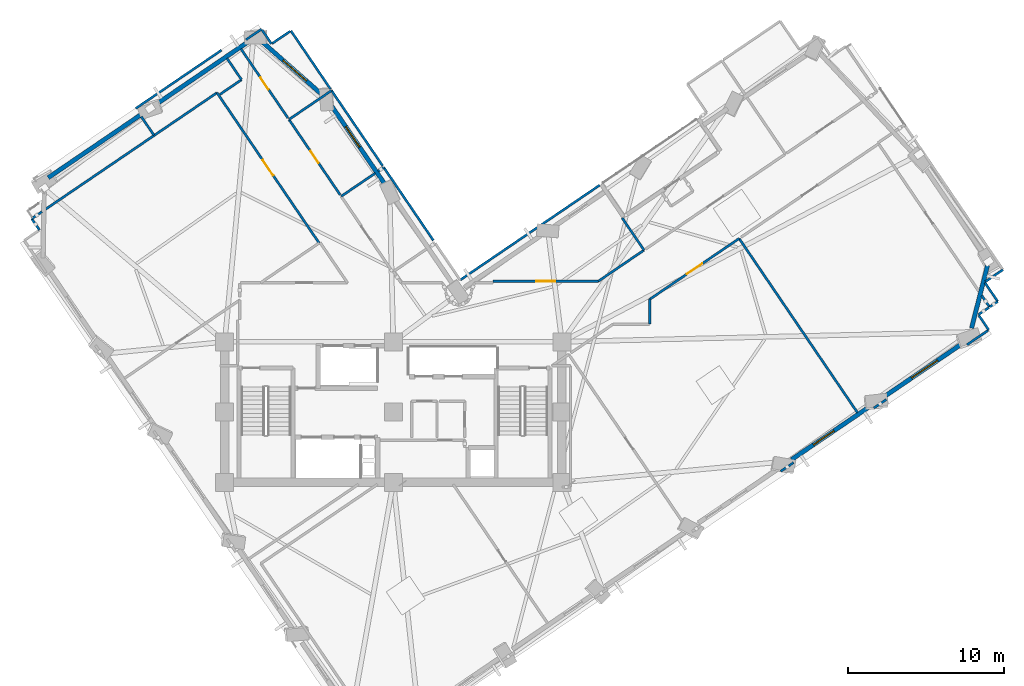
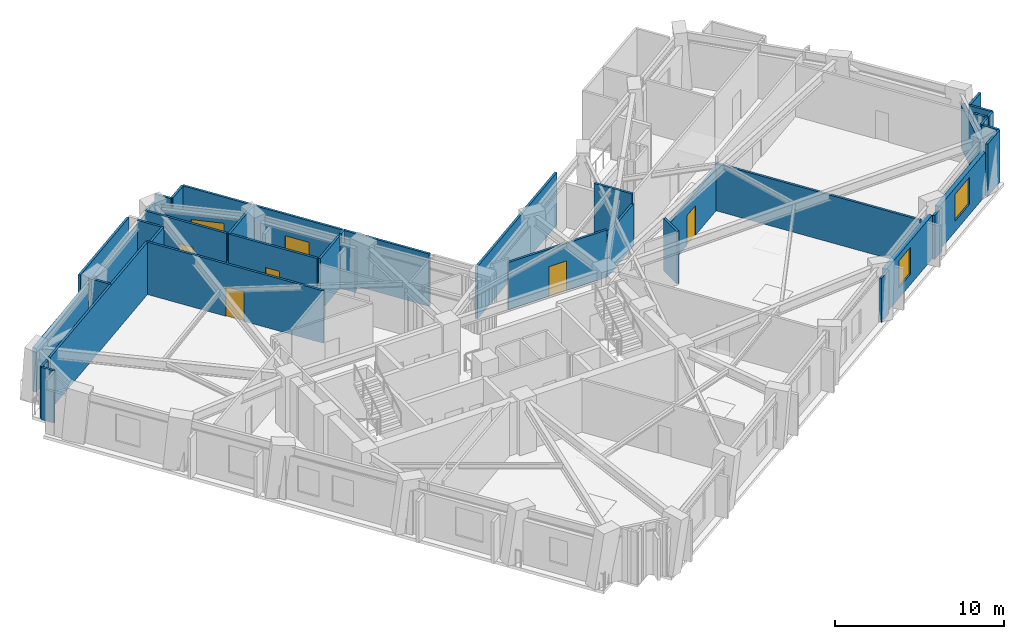
# One storey, part 10 of 16: 42 walls, 5 doors, 4 windows, 9 openings.
"""IFC4 building model written with IfcOpenShell, lengths in metres."""

from ifc_helpers import new_model, si_unit, direction, frame, frame_2d, origin, place, context, subcontext, project, spatial, rectangle, extrude, material, layer, layer_set, type_object, element, fill, save


model = new_model("IFC4")

# Units and contexts
model_context = context("Model", 3, precision=1e-05, world=origin(), true_north=direction((0.0, 1.0)))
body_context = subcontext(model_context, "Body", "Model", "MODEL_VIEW")
ifc_project = project(units=[si_unit("LENGTHUNIT", "METRE"), si_unit("AREAUNIT", "SQUARE_METRE"), si_unit("VOLUMEUNIT", "CUBIC_METRE"), si_unit("PLANEANGLEUNIT", "RADIAN"), si_unit("MASSUNIT", "GRAM", prefix="KILO")], contexts=[model_context])

# Site, building, storey
site_placement = place(None, origin())
site = spatial("IfcSite", under=ifc_project, at=site_placement, CompositionType="ELEMENT")
building_placement = place(site_placement, origin())
building = spatial("IfcBuilding", under=site, at=building_placement, Name="Gaonmaruhae Medical Tower", CompositionType="ELEMENT")
storey_placement = place(building_placement, frame((0.0, 0.0, 169.800048828125)))
storey = spatial("IfcBuildingStorey", under=building, at=storey_placement, Name="L40", CompositionType="ELEMENT", Elevation=169.800048828125)

# Wall, opening, window
ifc_material_1 = material(Name="Precast concrete C45/55", Category="concrete")
ifc_layer_1 = layer(ifc_material_1, 0.280029296875)
ifc_layer_set_1 = layer_set([ifc_layer_1], Name="Precast concrete C45/55")
wall_type_1 = type_object("IfcWallType", Name="EW-280 Upper Precast Masonry-Frame Facade Wall", PredefinedType="SOLIDWALL", material=ifc_layer_set_1)
wall_1_placement = place(storey_placement, frame((55.449951171875, 12.747314453125, 0.0), z_axis=(0.0, 0.0, 1.0), x_axis=(-0.827088583616, -0.562071592284, 0.0)))
wall_1 = element("IfcWall", 1, at=wall_1_placement, inside=storey, type_object=wall_type_1, Name="L40 Precast Masonry-Frame Wall S05-S06", PredefinedType="SOLIDWALL", context=body_context, shape_type="SweptSolid", body=[
    extrude(rectangle(XDim=6.21826171875, YDim=0.280029296875, at=frame_2d((3.109130859375, 0.0))), origin(), (0.0, 0.0, 1.0), 3.1650390625),
])
opening_1_placement = place(wall_1_placement, frame((2.9296875, 0.0, 0.75)))
opening_1 = element("IfcOpeningElement", 2, at=opening_1_placement, cuts=wall_1, Name="Opening WN-01", PredefinedType="OPENING", context=body_context, shape_type="SweptSolid", body=[
    extrude(rectangle(XDim=1.60009765625, YDim=1.949951171875, at=frame_2d((0.800048828125, 0.97509765625))), frame((0.0, 0.14990234375, 0.0), z_axis=(0.0, -1.0, 0.0), x_axis=(1.0, 0.0, 0.0)), (0.0, 0.0, 1.0), 0.300048828125),
])
ifc_material_2 = material(Name="Anodised aluminium and Low-E double glazing", Category="aluminium")
window_type_1 = type_object("IfcWindowType", Name="WN-01 Ward Punched Acoustic Window 1600x1950", PartitioningType="SINGLE_PANEL", PredefinedType="WINDOW", material=ifc_material_2)
window_1_placement = place(opening_1_placement, origin())
window_1 = element("IfcWindow", 3, at=window_1_placement, inside=storey, type_object=window_type_1, Name="L40 Modular Facade Window S05", OverallHeight=1.949951171875, OverallWidth=1.60009765625, PartitioningType="SINGLE_PANEL", PredefinedType="WINDOW", context=body_context, shape_type="SweptSolid", body=[
    extrude(rectangle(XDim=1.60009765625, YDim=1.949951171875, at=frame_2d((0.800048828125, 0.97509765625))), frame((0.0, 0.030029296875, 0.0), z_axis=(0.0, -1.0, 0.0), x_axis=(1.0, 0.0, 0.0)), (0.0, 0.0, 1.0), 0.06005859375),
])
fill(opening_1, window_1)

wall_2_placement = place(storey_placement, frame((61.417724609375, 16.802978515625, 0.0), z_axis=(0.0, 0.0, 1.0), x_axis=(-0.827071235127, -0.562097119745, 0.0)))
wall_2 = element("IfcWall", 4, at=wall_2_placement, inside=storey, type_object=wall_type_1, Name="L40 Precast Masonry-Frame Wall S06-S07", PredefinedType="SOLIDWALL", context=body_context, shape_type="SweptSolid", body=[
    extrude(rectangle(XDim=6.242431640625, YDim=0.280029296875, at=frame_2d((3.12109375, 0.0))), origin(), (0.0, 0.0, 1.0), 3.1650390625),
])
opening_2_placement = place(wall_2_placement, frame((2.125244140625, 0.0, 0.75)))
opening_2 = element("IfcOpeningElement", 5, at=opening_2_placement, cuts=wall_2, Name="Opening WN-02", PredefinedType="OPENING", context=body_context, shape_type="SweptSolid", body=[
    extrude(rectangle(XDim=2.0, YDim=1.949951171875, at=frame_2d((1.0, 0.97509765625))), frame((0.0, 0.14990234375, 0.0), z_axis=(0.0, -1.0, 0.0), x_axis=(1.0, 0.0, 0.0)), (0.0, 0.0, 1.0), 0.300048828125),
])
window_type_2 = type_object("IfcWindowType", Name="WN-02 Double-Bed Ward Punched Window 2000x1950", PartitioningType="SINGLE_PANEL", PredefinedType="WINDOW", material=ifc_material_2)
window_2_placement = place(opening_2_placement, origin())
window_2 = element("IfcWindow", 6, at=window_2_placement, inside=storey, type_object=window_type_2, Name="L40 Modular Facade Window S06", OverallHeight=1.949951171875, OverallWidth=2.0, PartitioningType="SINGLE_PANEL", PredefinedType="WINDOW", context=body_context, shape_type="SweptSolid", body=[
    extrude(rectangle(XDim=2.0, YDim=1.949951171875, at=frame_2d((1.0, 0.97509765625))), frame((0.0, 0.030029296875, 0.0), z_axis=(0.0, -1.0, 0.0), x_axis=(1.0, 0.0, 0.0)), (0.0, 0.0, 1.0), 0.06005859375),
])
fill(opening_2, window_2)

# Wall
wall_3_placement = place(storey_placement, frame((62.86572265625, 21.695068359375, 0.0), z_axis=(0.0, 0.0, 1.0), x_axis=(-0.247839677851, -0.968801060116, 0.0)))
element("IfcWall", 7, at=wall_3_placement, inside=storey, type_object=wall_type_1, Name="L40 Precast Masonry-Frame Wall S07-E01", PredefinedType="SOLIDWALL", context=body_context, shape_type="SweptSolid", body=[
    extrude(rectangle(XDim=4.145263671875, YDim=0.280029296875, at=frame_2d((2.07275390625, 0.0))), origin(), (0.0, 0.0, 1.0), 3.1650390625),
])

# Wall, opening, window
wall_4_placement = place(storey_placement, frame((24.338623046875, 26.7744140625, 0.0), z_axis=(0.0, 0.0, 1.0), x_axis=(-0.56206639417, 0.827092116118, 0.0)))
wall_4 = element("IfcWall", 8, at=wall_4_placement, inside=storey, type_object=wall_type_1, Name="L40 Precast Masonry-Frame Wall NE01-NE02", PredefinedType="SOLIDWALL", context=body_context, shape_type="SweptSolid", body=[
    extrude(rectangle(XDim=6.22265625, YDim=0.280029296875, at=frame_2d((3.111328125, 0.0))), origin(), (0.0, 0.0, 1.0), 3.14501953125),
])
opening_3_placement = place(wall_4_placement, frame((3.011474609375, 0.0, 0.75)))
opening_3 = element("IfcOpeningElement", 9, at=opening_3_placement, cuts=wall_4, Name="Opening WN-01", PredefinedType="OPENING", context=body_context, shape_type="SweptSolid", body=[
    extrude(rectangle(XDim=1.60009765625, YDim=1.949951171875, at=frame_2d((0.800048828125, 0.97509765625))), frame((0.0, 0.14990234375, 0.0), z_axis=(0.0, -1.0, 0.0), x_axis=(1.0, 0.0, 0.0)), (0.0, 0.0, 1.0), 0.300048828125),
])
window_3_placement = place(opening_3_placement, origin())
window_3 = element("IfcWindow", 10, at=window_3_placement, inside=storey, type_object=window_type_1, Name="L40 Modular Facade Window NE01", OverallHeight=1.949951171875, OverallWidth=1.60009765625, PartitioningType="SINGLE_PANEL", PredefinedType="WINDOW", context=body_context, shape_type="SweptSolid", body=[
    extrude(rectangle(XDim=1.60009765625, YDim=1.949951171875, at=frame_2d((0.800048828125, 0.97509765625))), frame((0.0, 0.030029296875, 0.0), z_axis=(0.0, -1.0, 0.0), x_axis=(1.0, 0.0, 0.0)), (0.0, 0.0, 1.0), 0.06005859375),
])
fill(opening_3, window_3)

wall_5_placement = place(storey_placement, frame((16.3779296875, 36.036865234375, 0.0), z_axis=(0.0, 0.0, 1.0), x_axis=(0.74990080613, -0.661550286045, 0.0)))
wall_5 = element("IfcWall", 11, at=wall_5_placement, inside=storey, type_object=wall_type_1, Name="L40 Precast Masonry-Frame Wall NE02-N01", PredefinedType="SOLIDWALL", context=body_context, shape_type="SweptSolid", body=[
    extrude(rectangle(XDim=5.0927734375, YDim=0.280029296875, at=frame_2d((2.54638671875, 0.0))), origin(), (0.0, 0.0, 1.0), 3.14501953125),
])
opening_4_placement = place(wall_5_placement, frame((1.81982421875, 0.0, 0.75)))
opening_4 = element("IfcOpeningElement", 12, at=opening_4_placement, cuts=wall_5, Name="Opening WN-02", PredefinedType="OPENING", context=body_context, shape_type="SweptSolid", body=[
    extrude(rectangle(XDim=2.0, YDim=1.949951171875, at=frame_2d((1.0, 0.97509765625))), frame((0.0, 0.14990234375, 0.0), z_axis=(0.0, -1.0, 0.0), x_axis=(1.0, 0.0, 0.0)), (0.0, 0.0, 1.0), 0.300048828125),
])
window_4_placement = place(opening_4_placement, origin())
window_4 = element("IfcWindow", 13, at=window_4_placement, inside=storey, type_object=window_type_2, Name="L40 Modular Facade Window NE02", OverallHeight=1.949951171875, OverallWidth=2.0, PartitioningType="SINGLE_PANEL", PredefinedType="WINDOW", context=body_context, shape_type="SweptSolid", body=[
    extrude(rectangle(XDim=2.0, YDim=1.949951171875, at=frame_2d((1.0, 0.97509765625))), frame((0.0, 0.030029296875, 0.0), z_axis=(0.0, -1.0, 0.0), x_axis=(1.0, 0.0, 0.0)), (0.0, 0.0, 1.0), 0.06005859375),
])
fill(opening_4, window_4)

# Walls
wall_6_placement = place(storey_placement, frame((9.48974609375, 31.93115234375, 0.0), z_axis=(0.0, 0.0, 1.0), x_axis=(0.827077196418, 0.562088348184, 0.0)))
element("IfcWall", 14, at=wall_6_placement, inside=storey, type_object=wall_type_1, Name="L40 Precast Masonry-Frame Wall N01-N02", PredefinedType="SOLIDWALL", context=body_context, shape_type="SweptSolid", body=[
    extrude(rectangle(XDim=7.23046875, YDim=0.280029296875, at=frame_2d((3.615234375, 0.0))), origin(), (0.0, 0.0, 1.0), 3.1650390625),
])
wall_7_placement = place(storey_placement, frame((2.6875, 27.308349609375, 0.0), z_axis=(0.0, 0.0, 1.0), x_axis=(0.827083252046, 0.562079437611, 0.0)))
element("IfcWall", 15, at=wall_7_placement, inside=storey, type_object=wall_type_1, Name="L40 Precast Masonry-Frame Wall N02-N03", PredefinedType="SOLIDWALL", context=body_context, shape_type="SweptSolid", body=[
    extrude(rectangle(XDim=7.269775390625, YDim=0.280029296875, at=frame_2d((3.634765625, 0.0))), origin(), (0.0, 0.0, 1.0), 3.1650390625),
])
ifc_material_3 = material(Name="Gypsum board partition", Category="gypsum")
ifc_layer_2 = layer(ifc_material_3, 0.14990234375)
ifc_layer_set_2 = layer_set([ifc_layer_2], Name="Gypsum board partition")
wall_type_2 = type_object("IfcWallType", Name="PW-150 Rated Clinical Corridor Partition", PredefinedType="PARTITIONING", material=ifc_layer_set_2)
wall_8_placement = place(storey_placement, frame((41.22998046875, 17.949951171875, 0.0), z_axis=(0.0, 0.0, 1.0), x_axis=(0.0, 1.0, 0.0)))
element("IfcWall", 16, at=wall_8_placement, inside=storey, type_object=wall_type_2, Name="L40 Interior Partition L40-SUP03-22", PredefinedType="PARTITIONING", context=body_context, shape_type="SweptSolid", body=[
    extrude(rectangle(XDim=1.5771484375, YDim=0.14990234375, at=frame_2d((0.78857421875, 0.0))), origin(), (0.0, 0.0, 1.0), 3.780029296875),
])

# Wall, opening, door
wall_9_placement = place(storey_placement, frame((41.22998046875, 19.527099609375, 0.0), z_axis=(0.0, 0.0, 1.0), x_axis=(0.827060374775, 0.562113099364, 0.0)))
wall_9 = element("IfcWall", 17, at=wall_9_placement, inside=storey, type_object=wall_type_2, Name="L40 Interior Partition L40-SUP03-23", PredefinedType="PARTITIONING", context=body_context, shape_type="SweptSolid", body=[
    extrude(rectangle(XDim=6.91845703125, YDim=0.14990234375, at=frame_2d((3.459228515625, 0.0))), origin(), (0.0, 0.0, 1.0), 3.06494140625),
])
opening_5_placement = place(wall_9_placement, frame((2.859130859375, 0.0, 0.0)))
opening_5 = element("IfcOpeningElement", 18, at=opening_5_placement, cuts=wall_9, Name="Opening CD-02", PredefinedType="OPENING", context=body_context, shape_type="SweptSolid", body=[
    extrude(rectangle(XDim=1.199951171875, YDim=2.14990234375, at=frame_2d((0.60009765625, 1.074951171875))), frame((0.0, 0.0849609375, 0.0), z_axis=(0.0, -1.0, 0.0), x_axis=(1.0, 0.0, 0.0)), (0.0, 0.0, 1.0), 0.169921875),
])
ifc_material_4 = material(Name="Antimicrobial laminate timber fire door", Category="wood")
door_type_1 = type_object("IfcDoorType", Name="CD-02 Clinical Treatment & Procedure Door 1200x2150", OperationType="NOTDEFINED", PredefinedType="DOOR", material=ifc_material_4)
door_1_placement = place(opening_5_placement, origin())
door_1 = element("IfcDoor", 19, at=door_1_placement, inside=storey, type_object=door_type_1, Name="L40 Clinical Biomedical Charting Office Door", OperationType="SINGLE_SWING_LEFT", OverallHeight=2.14990234375, OverallWidth=1.199951171875, PredefinedType="DOOR", context=body_context, shape_type="SweptSolid", body=[
    extrude(rectangle(XDim=1.199951171875, YDim=2.14990234375, at=frame_2d((0.60009765625, 1.074951171875))), frame((0.0, 0.02490234375, 0.0), z_axis=(0.0, -1.0, 0.0), x_axis=(1.0, 0.0, 0.0)), (0.0, 0.0, 1.0), 0.050048828125),
])
fill(opening_5, door_1)

# Walls
wall_10_placement = place(storey_placement, frame((46.951904296875, 23.416015625, 0.0), z_axis=(0.0, 0.0, 1.0), x_axis=(0.562106478049, -0.827064874926, 0.0)))
element("IfcWall", 20, at=wall_10_placement, inside=storey, type_object=wall_type_2, Name="L40 Interior Partition L40-SUP03-24", PredefinedType="PARTITIONING", context=body_context, shape_type="SweptSolid", body=[
    extrude(rectangle(XDim=13.485107421875, YDim=0.14990234375, at=frame_2d((6.74267578125, 0.0))), origin(), (0.0, 0.0, 1.0), 3.4150390625),
])
wall_11_placement = place(storey_placement, frame((50.43603515625, 9.06201171875, 0.0), z_axis=(0.0, 0.0, 1.0), x_axis=(-0.827119270634, -0.562026433672, 0.0)))
element("IfcWall", 21, at=wall_11_placement, inside=storey, type_object=wall_type_2, Name="L40 Interior Partition L40-SUP03-25", PredefinedType="PARTITIONING", context=body_context, shape_type="SweptSolid", body=[
    extrude(rectangle(XDim=0.989013671875, YDim=0.14990234375, at=frame_2d((0.49462890625, 0.0))), origin(), (0.0, 0.0, 1.0), 3.1650390625),
])
wall_12_placement = place(storey_placement, frame((62.490966796875, 19.764892578125, 0.0), z_axis=(0.0, 0.0, 1.0), x_axis=(0.562027100448, -0.82711881756, 0.0)))
element("IfcWall", 22, at=wall_12_placement, inside=storey, type_object=wall_type_2, Name="L40 Interior Partition L40-SUP04-31", PredefinedType="PARTITIONING", context=body_context, shape_type="SweptSolid", body=[
    extrude(rectangle(XDim=0.89697265625, YDim=0.14990234375, at=frame_2d((0.448486328125, 0.0))), origin(), (0.0, 0.0, 1.0), 3.780029296875),
])
wall_13_placement = place(storey_placement, frame((62.9541015625, 18.9951171875, 0.0), z_axis=(0.0, 0.0, 1.0), x_axis=(-0.82751053639, -0.561450186716, 0.0)))
element("IfcWall", 23, at=wall_13_placement, inside=storey, type_object=wall_type_2, Name="L40 Interior Partition L40-SUP04-32", PredefinedType="PARTITIONING", context=body_context, shape_type="SweptSolid", body=[
    extrude(rectangle(XDim=0.815673828125, YDim=0.14990234375, at=frame_2d((0.40771484375, 0.0))), origin(), (0.0, 0.0, 1.0), 3.780029296875),
])
wall_14_placement = place(storey_placement, frame((62.306884765625, 18.49609375, 0.0), z_axis=(0.0, 0.0, 1.0), x_axis=(0.562546175455, -0.826765867994, 0.0)))
element("IfcWall", 24, at=wall_14_placement, inside=storey, type_object=wall_type_2, Name="L40 Interior Partition L40-SUP04-33", PredefinedType="PARTITIONING", context=body_context, shape_type="SweptSolid", body=[
    extrude(rectangle(XDim=1.131103515625, YDim=0.14990234375, at=frame_2d((0.5654296875, 0.0))), origin(), (0.0, 0.0, 1.0), 3.780029296875),
])
wall_15_placement = place(storey_placement, frame((62.902099609375, 17.532958984375, 0.0), z_axis=(0.0, 0.0, 1.0), x_axis=(-0.827342173248, -0.561698253838, 0.0)))
element("IfcWall", 25, at=wall_15_placement, inside=storey, type_object=wall_type_2, Name="L40 Interior Partition L40-SUP04-34", PredefinedType="PARTITIONING", context=body_context, shape_type="SweptSolid", body=[
    extrude(rectangle(XDim=1.6376953125, YDim=0.14990234375, at=frame_2d((0.81884765625, 0.0))), origin(), (0.0, 0.0, 1.0), 3.780029296875),
])
wall_16_placement = place(storey_placement, frame((56.384033203125, 13.10400390625, 0.0), z_axis=(0.0, 0.0, 1.0), x_axis=(-0.827038460585, -0.562145341271, 0.0)))
element("IfcWall", 26, at=wall_16_placement, inside=storey, type_object=wall_type_2, Name="L40 Interior Partition L40-SUP04-35", PredefinedType="PARTITIONING", context=body_context, shape_type="SweptSolid", body=[
    extrude(rectangle(XDim=0.973388671875, YDim=0.14990234375, at=frame_2d((0.48681640625, 0.0))), origin(), (0.0, 0.0, 1.0), 3.1650390625),
])
wall_17_placement = place(storey_placement, frame((2.126953125, 23.965087890625, 0.0), z_axis=(0.0, 0.0, 1.0), x_axis=(-0.562081103444, 0.827082119956, 0.0)))
element("IfcWall", 27, at=wall_17_placement, inside=storey, type_object=wall_type_2, Name="L40 Interior Partition L40-WOF06-48", PredefinedType="PARTITIONING", context=body_context, shape_type="SweptSolid", body=[
    extrude(rectangle(XDim=0.875244140625, YDim=0.14990234375, at=frame_2d((0.4375, 0.0))), origin(), (0.0, 0.0, 1.0), 3.780029296875),
])
wall_18_placement = place(storey_placement, frame((1.635009765625, 24.68896484375, 0.0), z_axis=(0.0, 0.0, 1.0), x_axis=(0.82735893469, 0.561673564616, 0.0)))
element("IfcWall", 28, at=wall_18_placement, inside=storey, type_object=wall_type_2, Name="L40 Interior Partition L40-WOF06-49", PredefinedType="PARTITIONING", context=body_context, shape_type="SweptSolid", body=[
    extrude(rectangle(XDim=0.797607421875, YDim=0.14990234375, at=frame_2d((0.39892578125, 0.0))), origin(), (0.0, 0.0, 1.0), 3.780029296875),
])
wall_19_placement = place(storey_placement, frame((2.528076171875, 25.2958984375, 0.0), z_axis=(0.0, 0.0, 1.0), x_axis=(0.827086951532, 0.562073993888, 0.0)))
element("IfcWall", 29, at=wall_19_placement, inside=storey, type_object=wall_type_2, Name="L40 Interior Partition L40-WOF06-50", PredefinedType="PARTITIONING", context=body_context, shape_type="SweptSolid", body=[
    extrude(rectangle(XDim=13.2705078125, YDim=0.14990234375, at=frame_2d((6.63525390625, 0.0))), origin(), (0.0, 0.0, 1.0), 3.780029296875),
])

# Wall, opening, door
wall_20_placement = place(storey_placement, frame((13.50390625, 32.7548828125, 0.0), z_axis=(0.0, 0.0, 1.0), x_axis=(0.562055261363, -0.827099681522, 0.0)))
wall_20 = element("IfcWall", 30, at=wall_20_placement, inside=storey, type_object=wall_type_2, Name="L40 Interior Partition L40-WOF06-51", PredefinedType="PARTITIONING", context=body_context, shape_type="SweptSolid", body=[
    extrude(rectangle(XDim=11.639404296875, YDim=0.14990234375, at=frame_2d((5.81982421875, 0.0))), origin(), (0.0, 0.0, 1.0), 3.780029296875),
])
opening_6_placement = place(wall_20_placement, frame((5.2197265625, 0.0, 0.0)))
opening_6 = element("IfcOpeningElement", 31, at=opening_6_placement, cuts=wall_20, Name="Opening CD-02", PredefinedType="OPENING", context=body_context, shape_type="SweptSolid", body=[
    extrude(rectangle(XDim=1.199951171875, YDim=2.14990234375, at=frame_2d((0.60009765625, 1.074951171875))), frame((0.0, 0.0849609375, 0.0), z_axis=(0.0, -1.0, 0.0), x_axis=(1.0, 0.0, 0.0)), (0.0, 0.0, 1.0), 0.169921875),
])
door_2_placement = place(opening_6_placement, origin())
door_2 = element("IfcDoor", 32, at=door_2_placement, inside=storey, type_object=door_type_1, Name="L40 Ward Physician Reporting Office Door", OperationType="SINGLE_SWING_LEFT", OverallHeight=2.14990234375, OverallWidth=1.199951171875, PredefinedType="DOOR", context=body_context, shape_type="SweptSolid", body=[
    extrude(rectangle(XDim=1.199951171875, YDim=2.14990234375, at=frame_2d((0.60009765625, 1.074951171875))), frame((0.0, 0.02490234375, 0.0), z_axis=(0.0, -1.0, 0.0), x_axis=(1.0, 0.0, 0.0)), (0.0, 0.0, 1.0), 0.050048828125),
])
fill(opening_6, door_2)

# Walls
wall_21_placement = place(storey_placement, frame((29.0869140625, 20.76611328125, 0.0), z_axis=(0.0, 0.0, 1.0), x_axis=(0.82707898546, 0.562085715715, 0.0)))
element("IfcWall", 33, at=wall_21_placement, inside=storey, type_object=wall_type_2, Name="L40 Interior Partition L40-IE01-66", PredefinedType="PARTITIONING", context=body_context, shape_type="SweptSolid", body=[
    extrude(rectangle(XDim=10.807861328125, YDim=0.14990234375, at=frame_2d((5.40380859375, 0.0))), origin(), (0.0, 0.0, 1.0), 3.780029296875),
])
wall_22_placement = place(storey_placement, frame((39.4541015625, 24.739990234375, 0.0), z_axis=(0.0, 0.0, 1.0), x_axis=(0.561935992116, -0.827180718322, 0.0)))
element("IfcWall", 34, at=wall_22_placement, inside=storey, type_object=wall_type_2, Name="L40 Interior Partition L40-IE01-67", PredefinedType="PARTITIONING", context=body_context, shape_type="SweptSolid", body=[
    extrude(rectangle(XDim=2.5, YDim=0.14990234375, at=frame_2d((1.25, 0.0))), origin(), (0.0, 0.0, 1.0), 3.780029296875),
])
wall_23_placement = place(storey_placement, frame((40.85888671875, 22.672119140625, 0.0), z_axis=(0.0, 0.0, 1.0), x_axis=(-0.827035400528, -0.562149843257, 0.0)))
element("IfcWall", 35, at=wall_23_placement, inside=storey, type_object=wall_type_2, Name="L40 Interior Partition L40-IE01-68", PredefinedType="PARTITIONING", context=body_context, shape_type="SweptSolid", body=[
    extrude(rectangle(XDim=3.5439453125, YDim=0.14990234375, at=frame_2d((1.77197265625, 0.0))), origin(), (0.0, 0.0, 1.0), 3.06494140625),
])

# Wall, opening, door
wall_24_placement = place(storey_placement, frame((37.927978515625, 20.679931640625, 0.0), z_axis=(0.0, 0.0, 1.0), x_axis=(-1.0, 0.0, 0.0)))
wall_24 = element("IfcWall", 36, at=wall_24_placement, inside=storey, type_object=wall_type_2, Name="L40 Interior Partition L40-IE01-69", PredefinedType="PARTITIONING", context=body_context, shape_type="SweptSolid", body=[
    extrude(rectangle(XDim=6.73095703125, YDim=0.14990234375, at=frame_2d((3.365478515625, 0.0))), origin(), (0.0, 0.0, 1.0), 3.4150390625),
])
opening_7_placement = place(wall_24_placement, frame((2.765380859375, 0.0, 0.0)))
opening_7 = element("IfcOpeningElement", 37, at=opening_7_placement, cuts=wall_24, Name="Opening CD-02", PredefinedType="OPENING", context=body_context, shape_type="SweptSolid", body=[
    extrude(rectangle(XDim=1.199951171875, YDim=2.14990234375, at=frame_2d((0.60009765625, 1.074951171875))), frame((0.0, 0.0849609375, 0.0), z_axis=(0.0, -1.0, 0.0), x_axis=(1.0, 0.0, 0.0)), (0.0, 0.0, 1.0), 0.169921875),
])
door_3_placement = place(opening_7_placement, origin())
door_3 = element("IfcDoor", 38, at=door_3_placement, inside=storey, type_object=door_type_1, Name="L40 Central Clinical Nurse Station Door", OperationType="SINGLE_SWING_RIGHT", OverallHeight=2.14990234375, OverallWidth=1.199951171875, PredefinedType="DOOR", context=body_context, shape_type="SweptSolid", body=[
    extrude(rectangle(XDim=1.199951171875, YDim=2.14990234375, at=frame_2d((0.60009765625, 1.074951171875))), frame((0.0, 0.02490234375, 0.0), z_axis=(0.0, -1.0, 0.0), x_axis=(1.0, 0.0, 0.0)), (0.0, 0.0, 1.0), 0.050048828125),
])
fill(opening_7, door_3)

# Walls
wall_25_placement = place(storey_placement, frame((21.458984375, 26.118896484375, 0.0), z_axis=(0.0, 0.0, 1.0), x_axis=(0.827129756528, 0.562011001552, 0.0)))
element("IfcWall", 39, at=wall_25_placement, inside=storey, type_object=wall_type_2, Name="L40 Interior Partition L40-IN01-88", PredefinedType="PARTITIONING", context=body_context, shape_type="SweptSolid", body=[
    extrude(rectangle(XDim=2.635498046875, YDim=0.14990234375, at=frame_2d((1.31787109375, 0.0))), origin(), (0.0, 0.0, 1.0), 3.780029296875),
])
wall_26_placement = place(storey_placement, frame((23.8291015625, 27.72900390625, 0.0), z_axis=(0.0, 0.0, 1.0), x_axis=(0.826488233945, 0.562953993813, 0.0)))
element("IfcWall", 40, at=wall_26_placement, inside=storey, type_object=wall_type_2, Name="L40 Interior Partition L40-IN01-89", PredefinedType="PARTITIONING", context=body_context, shape_type="SweptSolid", body=[
    extrude(rectangle(XDim=0.435302734375, YDim=0.14990234375, at=frame_2d((0.2177734375, 0.0))), origin(), (0.0, 0.0, 1.0), 3.780029296875),
])
wall_27_placement = place(storey_placement, frame((24.18896484375, 27.97412109375, 0.0), z_axis=(0.0, 0.0, 1.0), x_axis=(0.562021832426, -0.827122397156, 0.0)))
element("IfcWall", 41, at=wall_27_placement, inside=storey, type_object=wall_type_2, Name="L40 Interior Partition L40-IN01-90", PredefinedType="PARTITIONING", context=body_context, shape_type="SweptSolid", body=[
    extrude(rectangle(XDim=5.654541015625, YDim=0.14990234375, at=frame_2d((2.8271484375, 0.0))), origin(), (0.0, 0.0, 1.0), 3.780029296875),
])

# Wall, opening, door
wall_28_placement = place(storey_placement, frame((21.39208984375, 26.218017578125, 0.0), z_axis=(0.0, 0.0, 1.0), x_axis=(-0.562090088282, 0.827076013831, 0.0)))
wall_28 = element("IfcWall", 42, at=wall_28_placement, inside=storey, type_object=wall_type_2, Name="L40 Interior Partition L40-IN02-91", PredefinedType="PARTITIONING", context=body_context, shape_type="SweptSolid", body=[
    extrude(rectangle(XDim=5.830322265625, YDim=0.14990234375, at=frame_2d((2.9150390625, 0.0))), origin(), (0.0, 0.0, 1.0), 3.780029296875),
])
opening_8_placement = place(wall_28_placement, frame((2.455078125, 0.0, 0.0)))
opening_8 = element("IfcOpeningElement", 43, at=opening_8_placement, cuts=wall_28, Name="Opening UD-01", PredefinedType="OPENING", context=body_context, shape_type="SweptSolid", body=[
    extrude(rectangle(XDim=0.919921875, YDim=2.10009765625, at=frame_2d((0.4599609375, 1.050048828125))), frame((0.0, 0.0849609375, 0.0), z_axis=(0.0, -1.0, 0.0), x_axis=(1.0, 0.0, 0.0)), (0.0, 0.0, 1.0), 0.169921875),
])
ifc_material_5 = material(Name="Powder-coated steel utility door", Category="steel")
door_type_2 = type_object("IfcDoorType", Name="UD-01 Toilet, Utility & Housekeeping Door 920x2100", OperationType="NOTDEFINED", PredefinedType="DOOR", material=ifc_material_5)
door_4_placement = place(opening_8_placement, origin())
door_4 = element("IfcDoor", 44, at=door_4_placement, inside=storey, type_object=door_type_2, Name="L40 Ward Nutrition Pantry Door", OperationType="SINGLE_SWING_LEFT", OverallHeight=2.10009765625, OverallWidth=0.919921875, PredefinedType="DOOR", context=body_context, shape_type="SweptSolid", body=[
    extrude(rectangle(XDim=0.919921875, YDim=2.10009765625, at=frame_2d((0.4599609375, 1.050048828125))), frame((0.0, 0.02490234375, 0.0), z_axis=(0.0, -1.0, 0.0), x_axis=(1.0, 0.0, 0.0)), (0.0, 0.0, 1.0), 0.050048828125),
])
fill(opening_8, door_4)

# Walls
wall_29_placement = place(storey_placement, frame((18.114990234375, 31.0400390625, 0.0), z_axis=(0.0, 0.0, 1.0), x_axis=(0.827031073884, 0.562156208567, 0.0)))
element("IfcWall", 45, at=wall_29_placement, inside=storey, type_object=wall_type_2, Name="L40 Interior Partition L40-IN02-92", PredefinedType="PARTITIONING", context=body_context, shape_type="SweptSolid", body=[
    extrude(rectangle(XDim=3.2998046875, YDim=0.14990234375, at=frame_2d((1.64990234375, 0.0))), origin(), (0.0, 0.0, 1.0), 3.780029296875),
])
wall_30_placement = place(storey_placement, frame((20.843994140625, 32.89501953125, 0.0), z_axis=(0.0, 0.0, 1.0), x_axis=(0.562090088282, -0.827076013831, 0.0)))
element("IfcWall", 46, at=wall_30_placement, inside=storey, type_object=wall_type_2, Name="L40 Interior Partition L40-IN02-93", PredefinedType="PARTITIONING", context=body_context, shape_type="SweptSolid", body=[
    extrude(rectangle(XDim=5.830322265625, YDim=0.14990234375, at=frame_2d((2.9150390625, 0.0))), origin(), (0.0, 0.0, 1.0), 3.780029296875),
])
wall_31_placement = place(storey_placement, frame((18.239013671875, 36.72802734375, 0.0), z_axis=(0.0, 0.0, 1.0), x_axis=(0.562139923025, -0.827042143389, 0.0)))
element("IfcWall", 47, at=wall_31_placement, inside=storey, type_object=wall_type_2, Name="L40 Interior Partition L40-IN03-94", PredefinedType="PARTITIONING", context=body_context, shape_type="SweptSolid", body=[
    extrude(rectangle(XDim=4.51513671875, YDim=0.14990234375, at=frame_2d((2.257568359375, 0.0))), origin(), (0.0, 0.0, 1.0), 3.780029296875),
])

# Wall, opening, door
wall_32_placement = place(storey_placement, frame((18.047119140625, 31.138916015625, 0.0), z_axis=(0.0, 0.0, 1.0), x_axis=(-0.562060362882, 0.827096214764, 0.0)))
wall_32 = element("IfcWall", 48, at=wall_32_placement, inside=storey, type_object=wall_type_2, Name="L40 Interior Partition L40-IN03-95", PredefinedType="PARTITIONING", context=body_context, shape_type="SweptSolid", body=[
    extrude(rectangle(XDim=5.35009765625, YDim=0.14990234375, at=frame_2d((2.675048828125, 0.0))), origin(), (0.0, 0.0, 1.0), 3.780029296875),
])
opening_9_placement = place(wall_32_placement, frame((2.215087890625, 0.0, 0.0)))
opening_9 = element("IfcOpeningElement", 49, at=opening_9_placement, cuts=wall_32, Name="Opening UD-01", PredefinedType="OPENING", context=body_context, shape_type="SweptSolid", body=[
    extrude(rectangle(XDim=0.919921875, YDim=2.10009765625, at=frame_2d((0.4599609375, 1.050048828125))), frame((0.0, 0.0849609375, 0.0), z_axis=(0.0, -1.0, 0.0), x_axis=(1.0, 0.0, 0.0)), (0.0, 0.0, 1.0), 0.169921875),
])
door_5_placement = place(opening_9_placement, origin())
door_5 = element("IfcDoor", 50, at=door_5_placement, inside=storey, type_object=door_type_2, Name="L40 Public Visitor Toilet Door", OperationType="SINGLE_SWING_LEFT", OverallHeight=2.10009765625, OverallWidth=0.919921875, PredefinedType="DOOR", context=body_context, shape_type="SweptSolid", body=[
    extrude(rectangle(XDim=0.919921875, YDim=2.10009765625, at=frame_2d((0.4599609375, 1.050048828125))), frame((0.0, 0.02490234375, 0.0), z_axis=(0.0, -1.0, 0.0), x_axis=(1.0, 0.0, 0.0)), (0.0, 0.0, 1.0), 0.050048828125),
])
fill(opening_9, door_5)

# Walls
wall_33_placement = place(storey_placement, frame((15.363037109375, 36.152099609375, 0.0), z_axis=(0.0, 0.0, 1.0), x_axis=(0.82720957027, 0.561893519143, 0.0)))
element("IfcWall", 51, at=wall_33_placement, inside=storey, type_object=wall_type_2, Name="L40 Interior Partition L40-IN03-96", PredefinedType="PARTITIONING", context=body_context, shape_type="SweptSolid", body=[
    extrude(rectangle(XDim=1.20263671875, YDim=0.14990234375, at=frame_2d((0.601318359375, 0.0))), origin(), (0.0, 0.0, 1.0), 3.1650390625),
])
wall_34_placement = place(storey_placement, frame((16.385986328125, 36.787109375, 0.0), z_axis=(0.0, 0.0, 1.0), x_axis=(0.56145212795, -0.827509219296, 0.0)))
element("IfcWall", 52, at=wall_34_placement, inside=storey, type_object=wall_type_2, Name="L40 Interior Partition L40-IN03-97", PredefinedType="PARTITIONING", context=body_context, shape_type="SweptSolid", body=[
    extrude(rectangle(XDim=1.090087890625, YDim=0.14990234375, at=frame_2d((0.544921875, 0.0))), origin(), (0.0, 0.0, 1.0), 3.780029296875),
])
wall_35_placement = place(storey_placement, frame((17.0390625, 35.9130859375, 0.0), z_axis=(0.0, 0.0, 1.0), x_axis=(0.827328250974, 0.561718759825, 0.0)))
element("IfcWall", 53, at=wall_35_placement, inside=storey, type_object=wall_type_2, Name="L40 Interior Partition L40-IN03-98", PredefinedType="PARTITIONING", context=body_context, shape_type="SweptSolid", body=[
    extrude(rectangle(XDim=1.40087890625, YDim=0.14990234375, at=frame_2d((0.700439453125, 0.0))), origin(), (0.0, 0.0, 1.0), 3.780029296875),
])
wall_36_placement = place(storey_placement, frame((9.465087890625, 30.033935546875, 0.0), z_axis=(0.0, 0.0, 1.0), x_axis=(-0.562342471098, 0.826904435349, 0.0)))
element("IfcWall", 54, at=wall_36_placement, inside=storey, type_object=wall_type_2, Name="L40 Interior Partition L40-RM02-101", PredefinedType="PARTITIONING", context=body_context, shape_type="SweptSolid", body=[
    extrude(rectangle(XDim=1.4404296875, YDim=0.14990234375, at=frame_2d((0.72021484375, 0.0))), origin(), (0.0, 0.0, 1.0), 3.780029296875),
])
wall_37_placement = place(storey_placement, frame((8.298095703125, 31.75, 0.0), z_axis=(0.0, 0.0, 1.0), x_axis=(0.827107686856, 0.56204348083, 0.0)))
element("IfcWall", 55, at=wall_37_placement, inside=storey, type_object=wall_type_2, Name="L40 Interior Partition L40-RM02-102", PredefinedType="PARTITIONING", context=body_context, shape_type="SweptSolid", body=[
    extrude(rectangle(XDim=6.639892578125, YDim=0.14990234375, at=frame_2d((3.31982421875, 0.0))), origin(), (0.0, 0.0, 1.0), 3.780029296875),
])
wall_38_placement = place(storey_placement, frame((14.14697265625, 34.95703125, 0.0), z_axis=(0.0, 0.0, 1.0), x_axis=(0.561862085879, -0.827230920875, 0.0)))
element("IfcWall", 56, at=wall_38_placement, inside=storey, type_object=wall_type_2, Name="L40 Interior Partition L40-RM02-103", PredefinedType="PARTITIONING", context=body_context, shape_type="SweptSolid", body=[
    extrude(rectangle(XDim=1.655029296875, YDim=0.14990234375, at=frame_2d((0.82763671875, 0.0))), origin(), (0.0, 0.0, 1.0), 3.780029296875),
])
wall_39_placement = place(storey_placement, frame((15.076904296875, 33.587890625, 0.0), z_axis=(0.0, 0.0, 1.0), x_axis=(-0.827029689207, -0.562158245665, 0.0)))
element("IfcWall", 57, at=wall_39_placement, inside=storey, type_object=wall_type_2, Name="L40 Interior Partition L40-RM02-104", PredefinedType="PARTITIONING", context=body_context, shape_type="SweptSolid", body=[
    extrude(rectangle(XDim=1.672119140625, YDim=0.14990234375, at=frame_2d((0.8359375, 0.0))), origin(), (0.0, 0.0, 1.0), 3.780029296875),
])
wall_40_placement = place(storey_placement, frame((63.85107421875, 21.4189453125, 0.0), z_axis=(0.0, 0.0, 1.0), x_axis=(-0.826976169656, -0.562236973901, 0.0)))
element("IfcWall", 58, at=wall_40_placement, inside=storey, type_object=wall_type_2, Name="L40 Interior Partition L40-RM03-108", PredefinedType="PARTITIONING", context=body_context, shape_type="SweptSolid", body=[
    extrude(rectangle(XDim=1.371337890625, YDim=0.14990234375, at=frame_2d((0.685546875, 0.0))), origin(), (0.0, 0.0, 1.0), 3.780029296875),
])
wall_41_placement = place(storey_placement, frame((62.700927734375, 20.5859375, 0.0), z_axis=(0.0, 0.0, 1.0), x_axis=(0.561828982065, -0.827253404292, 0.0)))
element("IfcWall", 59, at=wall_41_placement, inside=storey, type_object=wall_type_2, Name="L40 Interior Partition L40-RM03-109", PredefinedType="PARTITIONING", context=body_context, shape_type="SweptSolid", body=[
    extrude(rectangle(XDim=1.4580078125, YDim=0.14990234375, at=frame_2d((0.72900390625, 0.0))), origin(), (0.0, 0.0, 1.0), 3.780029296875),
])
wall_42_placement = place(storey_placement, frame((63.52001953125, 19.3798828125, 0.0), z_axis=(0.0, 0.0, 1.0), x_axis=(-0.827811629702, -0.561006154805, 0.0)))
element("IfcWall", 60, at=wall_42_placement, inside=storey, type_object=wall_type_2, Name="L40 Interior Partition L40-RM03-110", PredefinedType="PARTITIONING", context=body_context, shape_type="SweptSolid", body=[
    extrude(rectangle(XDim=0.614990234375, YDim=0.14990234375, at=frame_2d((0.3076171875, 0.0))), origin(), (0.0, 0.0, 1.0), 3.780029296875),
])

save(model, "model.ifc")
